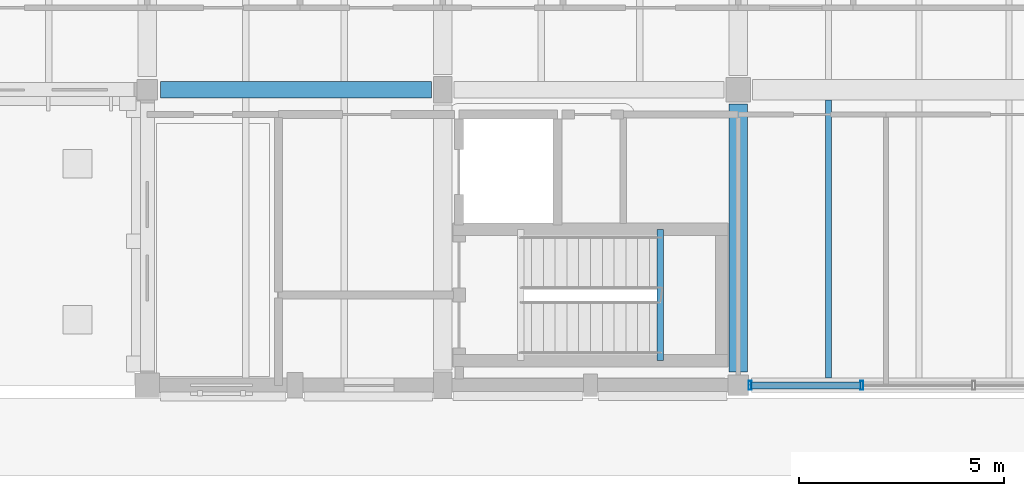
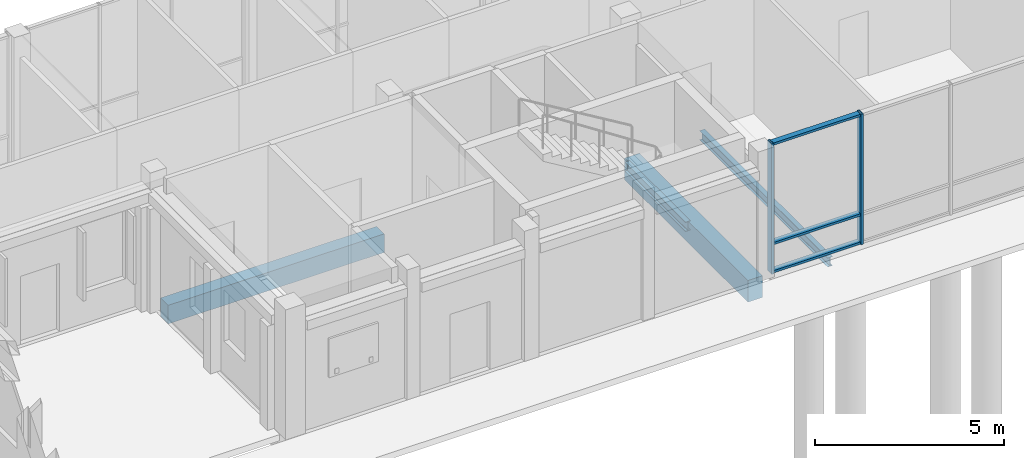
# One storey, part 20 of 104: 5 members, 4 beams, 1 element without a shape of its own.
"""IFC4 building model written with IfcOpenShell, lengths in metres."""

from ifc_helpers import new_model, si_unit, direction, frame, origin, origin_2d, place, context, subcontext, project, spatial, rectangle, hollow_rectangle, i_section, extrude, material, material_profile, profile_set, type_object, element, aggregate, save


model = new_model("IFC4")

# Units and contexts
model_context = context("Model", 3, precision=1e-05, world=origin(), true_north=direction((0.0, 1.0)))
body_context = subcontext(model_context, "Body", "Model", "MODEL_VIEW")
ifc_project = project(units=[si_unit("LENGTHUNIT", "METRE"), si_unit("AREAUNIT", "SQUARE_METRE"), si_unit("VOLUMEUNIT", "CUBIC_METRE"), si_unit("PLANEANGLEUNIT", "RADIAN"), si_unit("MASSUNIT", "GRAM", prefix="KILO")], contexts=[model_context])

# Site, building, storey
site_placement = place(None, origin())
site = spatial("IfcSite", under=ifc_project, at=site_placement, CompositionType="ELEMENT")
building_placement = place(site_placement, origin())
building = spatial("IfcBuilding", under=site, at=building_placement, Name="Hawrajan Terrace Health Centre", CompositionType="ELEMENT")
storey_placement = place(building_placement, origin())
storey = spatial("IfcBuildingStorey", under=building, at=storey_placement, Name="L00", CompositionType="ELEMENT", Elevation=0.0)

# Curtain wall, members
ifc_material_1 = material(Name="Anodized bronze aluminium and low-E solar glazing", Category="aluminium")
curtain_wall_type = type_object("IfcCurtainWallType", Name="CW_Court_SeriesB2", PredefinedType="USERDEFINED", material=ifc_material_1)
curtain_wall_placement = place(storey_placement, origin())
curtain_wall = element("IfcCurtainWall", 1, at=curtain_wall_placement, inside=storey, type_object=curtain_wall_type, Name="Curtain wall CW-L00-029", ObjectType="UNITISED CURTAIN WALL", PredefinedType="USERDEFINED")
ifc_material_2 = material(Name="Anodized bronze aluminium 6063-T6", Category="aluminium")
ifc_material_profile_1 = material_profile(ifc_material_2, hollow_rectangle(XDim=0.074951171875, YDim=0.219970703125, WallThickness=0.0048828125, at=origin_2d()), Name="CW MUL 75x220")
ifc_profile_set_1 = profile_set([ifc_material_profile_1], Name="Anodized bronze aluminium 6063-T6")
member_type_1 = type_object("IfcMemberType", Name="CWMullion_75x220", PredefinedType="MULLION", material=ifc_profile_set_1)
member_1_placement = place(storey_placement, frame((62.487548828125, 4.199951171875, -0.0048828125), z_axis=(0.0, 0.0, 1.0), x_axis=(1.0, 0.0, 0.0)))
member_1 = element("IfcMember", 2, at=member_1_placement, type_object=member_type_1, Name="Mullion CW-L00-029-M1", PredefinedType="MULLION", context=body_context, shape_type="SweptSolid", body=[
    extrude(hollow_rectangle(XDim=0.074951171875, YDim=0.219970703125, WallThickness=0.0048828125, at=origin_2d()), origin(), (0.0, 0.0, 1.0), 4.2099609375),
])
member_2_placement = place(storey_placement, frame((65.21240234375, 4.199951171875, -0.0048828125), z_axis=(0.0, 0.0, 1.0), x_axis=(1.0, 0.0, 0.0)))
member_2 = element("IfcMember", 3, at=member_2_placement, type_object=member_type_1, Name="Mullion CW-L00-029-M2", PredefinedType="MULLION", context=body_context, shape_type="SweptSolid", body=[
    extrude(hollow_rectangle(XDim=0.074951171875, YDim=0.219970703125, WallThickness=0.0048828125, at=origin_2d()), origin(), (0.0, 0.0, 1.0), 4.2099609375),
])
ifc_material_profile_2 = material_profile(ifc_material_2, hollow_rectangle(XDim=0.074951171875, YDim=0.169921875, WallThickness=0.00439453125, at=origin_2d()), Name="CW TRN 75x170")
ifc_profile_set_2 = profile_set([ifc_material_profile_2], Name="Anodized bronze aluminium 6063-T6")
member_type_2 = type_object("IfcMemberType", Name="CWTransom_75x170", PredefinedType="USERDEFINED", material=ifc_profile_set_2)
member_3_placement = place(storey_placement, frame((62.51904296875, 4.199951171875, 0.03759765625), z_axis=(1.0, 0.0, 0.0), x_axis=(0.0, 0.0, 1.0)))
member_3 = element("IfcMember", 4, at=member_3_placement, type_object=member_type_2, Name="Transom CW-L00-029-T1-1", ObjectType="TRANSOM", PredefinedType="USERDEFINED", context=body_context, shape_type="SweptSolid", body=[
    extrude(hollow_rectangle(XDim=0.074951171875, YDim=0.169921875, WallThickness=0.00439453125, at=origin_2d()), origin(), (0.0, 0.0, 1.0), 2.661865234375),
])
member_4_placement = place(storey_placement, frame((62.51904296875, 4.199951171875, 0.949951171875), z_axis=(1.0, 0.0, 0.0), x_axis=(0.0, 0.0, 1.0)))
member_4 = element("IfcMember", 5, at=member_4_placement, type_object=member_type_2, Name="Transom CW-L00-029-T1-2", ObjectType="TRANSOM", PredefinedType="USERDEFINED", context=body_context, shape_type="SweptSolid", body=[
    extrude(hollow_rectangle(XDim=0.074951171875, YDim=0.169921875, WallThickness=0.00439453125, at=origin_2d()), origin(), (0.0, 0.0, 1.0), 2.661865234375),
])
member_5_placement = place(storey_placement, frame((62.51904296875, 4.199951171875, 4.16259765625), z_axis=(1.0, 0.0, 0.0), x_axis=(0.0, 0.0, 1.0)))
member_5 = element("IfcMember", 6, at=member_5_placement, type_object=member_type_2, Name="Transom CW-L00-029-T1-3", ObjectType="TRANSOM", PredefinedType="USERDEFINED", context=body_context, shape_type="SweptSolid", body=[
    extrude(hollow_rectangle(XDim=0.074951171875, YDim=0.169921875, WallThickness=0.00439453125, at=origin_2d()), origin(), (0.0, 0.0, 1.0), 2.661865234375),
])
aggregate(curtain_wall, [member_1, member_2, member_3, member_4, member_5])

# Beams
ifc_material_3 = material(Name="Concrete C40/50", Category="concrete")
ifc_material_profile_3 = material_profile(ifc_material_3, rectangle(XDim=0.39990234375, YDim=0.60009765625, at=origin_2d()), Name="RC BM 400x600")
ifc_profile_set_3 = profile_set([ifc_material_profile_3], Name="Concrete C40/50")
beam_type_1 = type_object("IfcBeamType", Name="RCGirder_400x600", PredefinedType="BEAM", material=ifc_profile_set_3)
beam_1_placement = place(storey_placement, frame((48.125, 11.39990234375, -0.60009765625), z_axis=(1.0, 0.0, 0.0), x_axis=(0.0, 1.0, 0.0)))
element("IfcBeam", 7, at=beam_1_placement, inside=storey, type_object=beam_type_1, Name="Beam BM-X-L00-W-07-Y2", PredefinedType="BEAM", context=body_context, shape_type="SweptSolid", body=[
    extrude(rectangle(XDim=0.39990234375, YDim=0.60009765625, at=origin_2d()), origin(), (0.0, 0.0, 1.0), 6.60009765625),
])
ifc_material_profile_4 = material_profile(ifc_material_3, rectangle(XDim=0.449951171875, YDim=0.699951171875, at=origin_2d()), Name="RC BM 450x700")
ifc_profile_set_4 = profile_set([ifc_material_profile_4], Name="Concrete C40/50")
beam_type_2 = type_object("IfcBeamType", Name="RCGirder_450x700", PredefinedType="BEAM", material=ifc_profile_set_4)
beam_2_placement = place(storey_placement, frame((62.199951171875, 4.52490234375, -0.64990234375), z_axis=(0.0, 1.0, 0.0), x_axis=(-1.0, 0.0, 0.0)))
element("IfcBeam", 8, at=beam_2_placement, inside=storey, type_object=beam_type_2, Name="Beam BM-Y-L00-W-X09-1", PredefinedType="BEAM", context=body_context, shape_type="SweptSolid", body=[
    extrude(rectangle(XDim=0.449951171875, YDim=0.699951171875, at=origin_2d()), origin(), (0.0, 0.0, 1.0), 6.525146484375),
])
ifc_material_4 = material(Name="Steel S355", Category="steel")
ifc_material_profile_5 = material_profile(ifc_material_4, i_section(OverallWidth=0.14990234375, OverallDepth=0.300048828125, WebThickness=0.007080078125, FlangeThickness=0.0107421875, FilletRadius=0.014892578125, at=origin_2d()), Name="IPE 300")
ifc_profile_set_5 = profile_set([ifc_material_profile_5], Name="Steel S355")
beam_type_3 = type_object("IfcBeamType", Name="SteelBeam_IPE300", PredefinedType="JOIST", material=ifc_profile_set_5)
beam_3_placement = place(storey_placement, frame((64.39990234375, 4.375, -0.449951171875), z_axis=(0.0, 1.0, 0.0), x_axis=(-1.0, 0.0, 0.0)))
element("IfcBeam", 9, at=beam_3_placement, inside=storey, type_object=beam_type_3, Name="Secondary joist JST-L00-W-09-1-1", PredefinedType="JOIST", context=body_context, shape_type="SweptSolid", body=[
    extrude(i_section(OverallWidth=0.14990234375, OverallDepth=0.300048828125, WebThickness=0.007080078125, FlangeThickness=0.0107421875, FilletRadius=0.014892578125, at=origin_2d()), origin(), (0.0, 0.0, 1.0), 6.77490234375),
])
beam_4_placement = place(storey_placement, frame((60.300048828125, 4.800048828125, 1.8798828125), z_axis=(0.0, 1.0, 0.0), x_axis=(-1.0, 0.0, 0.0)))
element("IfcBeam", 10, at=beam_4_placement, inside=storey, type_object=beam_type_3, Name="Stair half-landing trimmer ST-4-L00-B1", PredefinedType="JOIST", context=body_context, shape_type="SweptSolid", body=[
    extrude(i_section(OverallWidth=0.14990234375, OverallDepth=0.300048828125, WebThickness=0.007080078125, FlangeThickness=0.0107421875, FilletRadius=0.014892578125, at=origin_2d()), origin(), (0.0, 0.0, 1.0), 3.199951171875),
])

save(model, "model.ifc")
